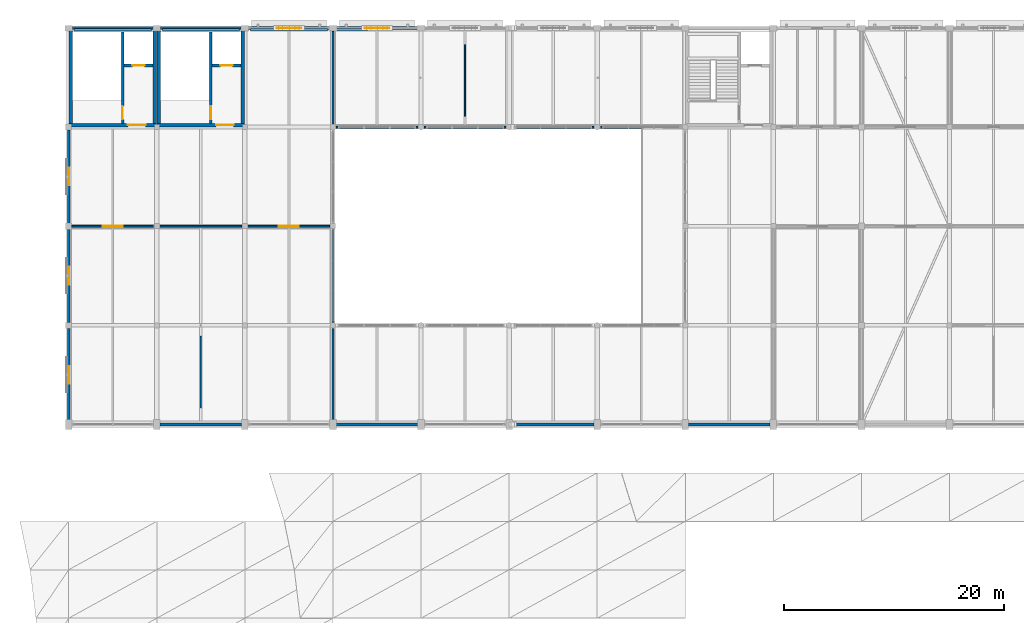
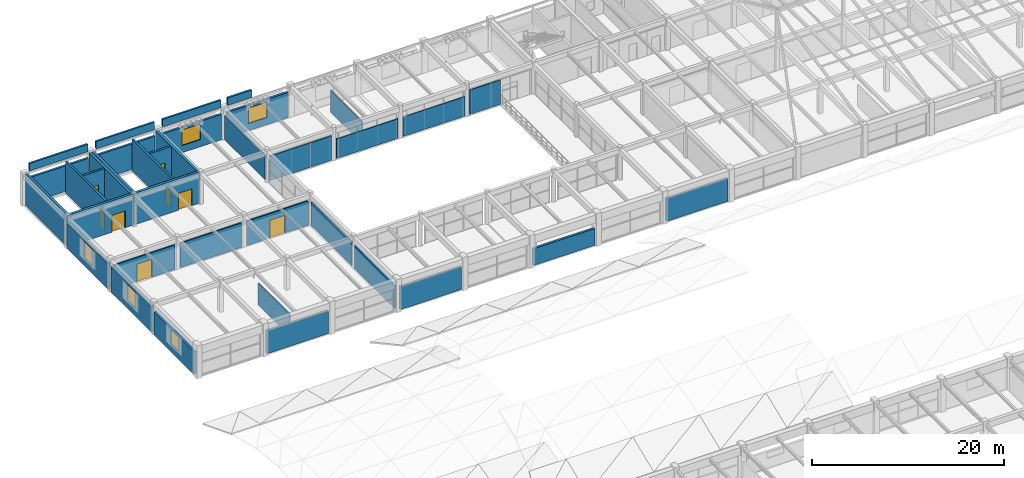
# One storey, part 99 of 126: 37 walls, 8 doors, 5 windows, 13 openings.
"""IFC4 building model written with IfcOpenShell, lengths in metres."""

from ifc_helpers import new_model, si_unit, direction, frame, frame_2d, origin, place, context, subcontext, project, spatial, rectangle, extrude, material, layer, layer_set, type_object, element, fill, save


model = new_model("IFC4")

# Units and contexts
model_context = context("Model", 3, precision=1e-05, world=origin(), true_north=direction((0.0, 1.0)))
body_context = subcontext(model_context, "Body", "Model", "MODEL_VIEW")
ifc_project = project(units=[si_unit("LENGTHUNIT", "METRE"), si_unit("AREAUNIT", "SQUARE_METRE"), si_unit("VOLUMEUNIT", "CUBIC_METRE"), si_unit("PLANEANGLEUNIT", "RADIAN"), si_unit("MASSUNIT", "GRAM", prefix="KILO")], contexts=[model_context])

# Site, building, storey
site_placement = place(None, origin())
site = spatial("IfcSite", under=ifc_project, at=site_placement, CompositionType="ELEMENT")
building_placement = place(site_placement, origin())
building = spatial("IfcBuilding", under=site, at=building_placement, Name="Varnabhumi Central Station", CompositionType="ELEMENT")
storey_placement = place(building_placement, frame((0.0, 0.0, 16.199951171875)))
storey = spatial("IfcBuildingStorey", under=building, at=storey_placement, Name="L03", CompositionType="ELEMENT", Elevation=16.199951171875)

# Walls
ifc_material_1 = material(Name="Concrete M40", Category="concrete")
ifc_layer_1 = layer(ifc_material_1, 0.300048828125, Name="Concrete M40", Category="concrete")
ifc_layer_set_1 = layer_set([ifc_layer_1], Name="Concrete M40")
wall_type_1 = type_object("IfcWallType", Name="WAL-CORE-RC-300", PredefinedType="SHEAR", material=ifc_layer_set_1)
for number, where, z_axis, x_axis, name in (
    (1, (24.179931640625, 107.179931640625, 0.0), (0.0, 0.0, 1.0), (0.0, 1.0, 0.0), "NC1 L03 West Shear Wall"),
    (2, (31.820068359375, 107.179931640625, 0.0), (0.0, 0.0, 1.0), (0.0, 1.0, 0.0), "NC1 L03 East Shear Wall"),
):
    element("IfcWall", number, at=place(storey_placement, frame(where, z_axis=z_axis, x_axis=x_axis)), inside=storey, type_object=wall_type_1, Name=name, PredefinedType="SHEAR", context=body_context, shape_type="SweptSolid", body=[
        extrude(rectangle(XDim=8.64013671875, YDim=0.300048828125, at=frame_2d((4.320068359375, 0.0))), origin(), (0.0, 0.0, 1.0), 3.97998046875),
    ])

# Wall, opening, door
wall_1_placement = place(storey_placement, frame((24.030029296875, 107.179931640625, 0.0), z_axis=(0.0, 0.0, 1.0), x_axis=(1.0, 0.0, 0.0)))
wall_1 = element("IfcWall", 3, at=wall_1_placement, inside=storey, type_object=wall_type_1, Name="NC1 L03 Corridor Shear Wall", PredefinedType="SHEAR", context=body_context, shape_type="SweptSolid", body=[
    extrude(rectangle(XDim=7.93994140625, YDim=0.300048828125, at=frame_2d((3.969970703125, 0.0))), origin(), (0.0, 0.0, 1.0), 3.97998046875),
])
opening_1_placement = place(wall_1_placement, frame((5.35009765625, 0.0, 0.0)))
opening_1 = element("IfcOpeningElement", 4, at=opening_1_placement, cuts=wall_1, Name="Opening FD-60D", PredefinedType="OPENING", context=body_context, shape_type="SweptSolid", body=[
    extrude(rectangle(XDim=1.60009765625, YDim=2.14990234375, at=frame_2d((0.800048828125, 1.074951171875))), frame((0.0, 0.159912109375, 0.0), z_axis=(0.0, -1.0, 0.0), x_axis=(1.0, 0.0, 0.0)), (0.0, 0.0, 1.0), 0.320068359375),
])
ifc_material_2 = material(Name="Intumescent-treated hardwood timber", Category="wood")
door_type_1 = type_object("IfcDoorType", Name="DR-FIRE-60-1600", OperationType="NOTDEFINED", PredefinedType="DOOR", material=ifc_material_2)
door_1_placement = place(opening_1_placement, frame((1.60009765625, 0.0, 0.0), z_axis=(0.0, 0.0, 1.0), x_axis=(-1.0, 0.0, 0.0)))
door_1 = element("IfcDoor", 5, at=door_1_placement, inside=storey, type_object=door_type_1, Name="NC1 L03 Lobby Fire Door", OperationType="DOUBLE_DOOR_SINGLE_SWING", OverallHeight=2.14990234375, OverallWidth=1.60009765625, PredefinedType="DOOR", context=body_context, shape_type="SweptSolid", body=[
    extrude(rectangle(XDim=1.60009765625, YDim=2.14990234375, at=frame_2d((0.800048828125, 1.074951171875))), frame((0.0, 0.02490234375, 0.0), z_axis=(0.0, -1.0, 0.0), x_axis=(1.0, 0.0, 0.0)), (0.0, 0.0, 1.0), 0.050048828125),
])
fill(opening_1, door_1)

# Walls
for number, where, z_axis, x_axis, name in (
    (6, (32.179931640625, 107.179931640625, 0.0), (0.0, 0.0, 1.0), (0.0, 1.0, 0.0), "NC4 L03 West Shear Wall"),
    (7, (39.820068359375, 107.179931640625, 0.0), (0.0, 0.0, 1.0), (0.0, 1.0, 0.0), "NC4 L03 East Shear Wall"),
):
    element("IfcWall", number, at=place(storey_placement, frame(where, z_axis=z_axis, x_axis=x_axis)), inside=storey, type_object=wall_type_1, Name=name, PredefinedType="SHEAR", context=body_context, shape_type="SweptSolid", body=[
        extrude(rectangle(XDim=8.64013671875, YDim=0.300048828125, at=frame_2d((4.320068359375, 0.0))), origin(), (0.0, 0.0, 1.0), 3.97998046875),
    ])

# Wall, opening, door
wall_2_placement = place(storey_placement, frame((32.030029296875, 107.179931640625, 0.0), z_axis=(0.0, 0.0, 1.0), x_axis=(1.0, 0.0, 0.0)))
wall_2 = element("IfcWall", 8, at=wall_2_placement, inside=storey, type_object=wall_type_1, Name="NC4 L03 Corridor Shear Wall", PredefinedType="SHEAR", context=body_context, shape_type="SweptSolid", body=[
    extrude(rectangle(XDim=7.93994140625, YDim=0.300048828125, at=frame_2d((3.969970703125, 0.0))), origin(), (0.0, 0.0, 1.0), 3.97998046875),
])
opening_2_placement = place(wall_2_placement, frame((5.35009765625, 0.0, 0.0)))
opening_2 = element("IfcOpeningElement", 9, at=opening_2_placement, cuts=wall_2, Name="Opening FD-60D", PredefinedType="OPENING", context=body_context, shape_type="SweptSolid", body=[
    extrude(rectangle(XDim=1.60009765625, YDim=2.14990234375, at=frame_2d((0.800048828125, 1.074951171875))), frame((0.0, 0.159912109375, 0.0), z_axis=(0.0, -1.0, 0.0), x_axis=(1.0, 0.0, 0.0)), (0.0, 0.0, 1.0), 0.320068359375),
])
door_2_placement = place(opening_2_placement, frame((1.60009765625, 0.0, 0.0), z_axis=(0.0, 0.0, 1.0), x_axis=(-1.0, 0.0, 0.0)))
door_2 = element("IfcDoor", 10, at=door_2_placement, inside=storey, type_object=door_type_1, Name="NC4 L03 Lobby Fire Door", OperationType="DOUBLE_DOOR_SINGLE_SWING", OverallHeight=2.14990234375, OverallWidth=1.60009765625, PredefinedType="DOOR", context=body_context, shape_type="SweptSolid", body=[
    extrude(rectangle(XDim=1.60009765625, YDim=2.14990234375, at=frame_2d((0.800048828125, 1.074951171875))), frame((0.0, 0.02490234375, 0.0), z_axis=(0.0, -1.0, 0.0), x_axis=(1.0, 0.0, 0.0)), (0.0, 0.0, 1.0), 0.050048828125),
])
fill(opening_2, door_2)

# Walls
ifc_material_3 = material(Name="Autoclaved aerated blockwork masonry", Category="masonry")
ifc_layer_2 = layer(ifc_material_3, 0.260009765625, Name="Autoclaved aerated blockwork masonry", Category="masonry")
ifc_layer_set_2 = layer_set([ifc_layer_2], Name="Autoclaved aerated blockwork masonry")
wall_type_2 = type_object("IfcWallType", Name="WAL-EXT-STUCCO-260", PredefinedType="SOLIDWALL", material=ifc_layer_set_2)
for number, where, z_axis, x_axis, name in (
    (11, (24.344970703125, 116.0, 0.0), (0.0, 0.0, 1.0), (1.0, 0.0, 0.0), "North Boulevard Wall L03-1"),
    (12, (32.344970703125, 116.0, 0.0), (0.0, 0.0, 1.0), (1.0, 0.0, 0.0), "North Boulevard Wall L03-2"),
):
    element("IfcWall", number, at=place(storey_placement, frame(where, z_axis=z_axis, x_axis=x_axis)), inside=storey, type_object=wall_type_2, Name=name, PredefinedType="SOLIDWALL", context=body_context, shape_type="SweptSolid", body=[
        extrude(rectangle(XDim=7.31005859375, YDim=0.260009765625, at=frame_2d((3.655029296875, 0.0))), origin(), (0.0, 0.0, 1.0), 3.239990234375),
    ])
wall_3_placement = place(storey_placement, frame((32.294921875, 80.0, 0.0), z_axis=(0.0, 0.0, 1.0), x_axis=(1.0, 0.0, 0.0)))
element("IfcWall", 13, at=wall_3_placement, inside=storey, type_object=wall_type_2, Name="North Spine Wall L03-2", PredefinedType="SOLIDWALL", context=body_context, shape_type="SweptSolid", body=[
    extrude(rectangle(XDim=7.41015625, YDim=0.260009765625, at=frame_2d((3.705078125, 0.0))), origin(), (0.0, 0.0, 1.0), 2.91015625),
])

# Wall, opening, window
wall_4_placement = place(storey_placement, frame((40.344970703125, 116.0, 0.0), z_axis=(0.0, 0.0, 1.0), x_axis=(1.0, 0.0, 0.0)))
wall_4 = element("IfcWall", 14, at=wall_4_placement, inside=storey, type_object=wall_type_2, Name="North Boulevard Wall L03-3", PredefinedType="SOLIDWALL", context=body_context, shape_type="SweptSolid", body=[
    extrude(rectangle(XDim=7.31005859375, YDim=0.260009765625, at=frame_2d((3.655029296875, 0.0))), origin(), (0.0, 0.0, 1.0), 3.2099609375),
])
opening_3_placement = place(wall_4_placement, frame((2.554931640625, 0.0, 0.89990234375)))
opening_3 = element("IfcOpeningElement", 15, at=opening_3_placement, cuts=wall_4, Name="Opening W-03", PredefinedType="OPENING", context=body_context, shape_type="SweptSolid", body=[
    extrude(rectangle(XDim=2.199951171875, YDim=1.989990234375, at=frame_2d((1.10009765625, 0.9951171875))), frame((0.0, 0.139892578125, 0.0), z_axis=(0.0, -1.0, 0.0), x_axis=(1.0, 0.0, 0.0)), (0.0, 0.0, 1.0), 0.280029296875),
])
ifc_material_4 = material(Name="Laminated low-E double glazing", Category="glass")
window_type_1 = type_object("IfcWindowType", Name="WIN-PIER-2200x2200", PartitioningType="DOUBLE_PANEL_VERTICAL", PredefinedType="WINDOW", material=ifc_material_4)
window_1_placement = place(opening_3_placement, origin())
window_1 = element("IfcWindow", 16, at=window_1_placement, inside=storey, type_object=window_type_1, Name="North Facade Window L03-3", OverallHeight=1.989990234375, OverallWidth=2.199951171875, PartitioningType="SINGLE_PANEL", PredefinedType="WINDOW", context=body_context, shape_type="SweptSolid", body=[
    extrude(rectangle(XDim=2.199951171875, YDim=1.989990234375, at=frame_2d((1.10009765625, 0.9951171875))), frame((0.0, 0.030029296875, 0.0), z_axis=(0.0, -1.0, 0.0), x_axis=(1.0, 0.0, 0.0)), (0.0, 0.0, 1.0), 0.06005859375),
])
fill(opening_3, window_1)

wall_5_placement = place(storey_placement, frame((48.344970703125, 116.0, 0.0), z_axis=(0.0, 0.0, 1.0), x_axis=(1.0, 0.0, 0.0)))
wall_5 = element("IfcWall", 17, at=wall_5_placement, inside=storey, type_object=wall_type_2, Name="North Boulevard Wall L03-4", PredefinedType="SOLIDWALL", context=body_context, shape_type="SweptSolid", body=[
    extrude(rectangle(XDim=7.31005859375, YDim=0.260009765625, at=frame_2d((3.655029296875, 0.0))), origin(), (0.0, 0.0, 1.0), 3.2099609375),
])
opening_4_placement = place(wall_5_placement, frame((2.554931640625, 0.0, 0.89990234375)))
opening_4 = element("IfcOpeningElement", 18, at=opening_4_placement, cuts=wall_5, Name="Opening W-03", PredefinedType="OPENING", context=body_context, shape_type="SweptSolid", body=[
    extrude(rectangle(XDim=2.199951171875, YDim=1.989990234375, at=frame_2d((1.10009765625, 0.9951171875))), frame((0.0, 0.139892578125, 0.0), z_axis=(0.0, -1.0, 0.0), x_axis=(1.0, 0.0, 0.0)), (0.0, 0.0, 1.0), 0.280029296875),
])
window_2_placement = place(opening_4_placement, origin())
window_2 = element("IfcWindow", 19, at=window_2_placement, inside=storey, type_object=window_type_1, Name="North Facade Window L03-4", OverallHeight=1.989990234375, OverallWidth=2.199951171875, PartitioningType="SINGLE_PANEL", PredefinedType="WINDOW", context=body_context, shape_type="SweptSolid", body=[
    extrude(rectangle(XDim=2.199951171875, YDim=1.989990234375, at=frame_2d((1.10009765625, 0.9951171875))), frame((0.0, 0.030029296875, 0.0), z_axis=(0.0, -1.0, 0.0), x_axis=(1.0, 0.0, 0.0)), (0.0, 0.0, 1.0), 0.06005859375),
])
fill(opening_4, window_2)

# Walls
wall_6_placement = place(storey_placement, frame((48.294921875, 80.0, 0.0), z_axis=(0.0, 0.0, 1.0), x_axis=(1.0, 0.0, 0.0)))
element("IfcWall", 20, at=wall_6_placement, inside=storey, type_object=wall_type_2, Name="North Spine Wall L03-4", PredefinedType="SOLIDWALL", context=body_context, shape_type="SweptSolid", body=[
    extrude(rectangle(XDim=7.41015625, YDim=0.260009765625, at=frame_2d((3.705078125, 0.0))), origin(), (0.0, 0.0, 1.0), 2.91015625),
])
wall_7_placement = place(storey_placement, frame((64.294921875, 80.0, 0.0), z_axis=(0.0, 0.0, 1.0), x_axis=(1.0, 0.0, 0.0)))
element("IfcWall", 21, at=wall_7_placement, inside=storey, type_object=wall_type_2, Name="North Spine Wall L03-6", PredefinedType="SOLIDWALL", context=body_context, shape_type="SweptSolid", body=[
    extrude(rectangle(XDim=7.41015625, YDim=0.260009765625, at=frame_2d((3.705078125, 0.0))), origin(), (0.0, 0.0, 1.0), 2.1201171875),
])
wall_8_placement = place(storey_placement, frame((80.294921875, 80.0, 0.0), z_axis=(0.0, 0.0, 1.0), x_axis=(1.0, 0.0, 0.0)))
element("IfcWall", 22, at=wall_8_placement, inside=storey, type_object=wall_type_2, Name="North Spine Wall L03-8", PredefinedType="SOLIDWALL", context=body_context, shape_type="SweptSolid", body=[
    extrude(rectangle(XDim=7.41015625, YDim=0.260009765625, at=frame_2d((3.705078125, 0.0))), origin(), (0.0, 0.0, 1.0), 2.91015625),
])

# Wall, opening, window
wall_9_placement = place(storey_placement, frame((24.0, 80.39990234375, 0.0), z_axis=(0.0, 0.0, 1.0), x_axis=(0.0, 1.0, 0.0)))
wall_9 = element("IfcWall", 23, at=wall_9_placement, inside=storey, type_object=wall_type_2, Name="North Wing E End Wall L03-1", PredefinedType="SOLIDWALL", context=body_context, shape_type="SweptSolid", body=[
    extrude(rectangle(XDim=8.330078125, YDim=0.260009765625, at=frame_2d((4.1650390625, 0.0))), origin(), (0.0, 0.0, 1.0), 2.91015625),
])
opening_5_placement = place(wall_9_placement, frame((3.300048828125, 0.0, 0.949951171875)))
opening_5 = element("IfcOpeningElement", 24, at=opening_5_placement, cuts=wall_9, Name="Opening W-04", PredefinedType="OPENING", context=body_context, shape_type="SweptSolid", body=[
    extrude(rectangle(XDim=1.60009765625, YDim=1.820068359375, at=frame_2d((0.800048828125, 0.91015625))), frame((0.0, 0.139892578125, 0.0), z_axis=(0.0, -1.0, 0.0), x_axis=(1.0, 0.0, 0.0)), (0.0, 0.0, 1.0), 0.280029296875),
])
window_type_2 = type_object("IfcWindowType", Name="WIN-PIER-1600x2200", PartitioningType="SINGLE_PANEL", PredefinedType="WINDOW", material=ifc_material_4)
window_3_placement = place(opening_5_placement, origin())
window_3 = element("IfcWindow", 25, at=window_3_placement, inside=storey, type_object=window_type_2, Name="North E Window L03-1", OverallHeight=1.820068359375, OverallWidth=1.60009765625, PartitioningType="SINGLE_PANEL", PredefinedType="WINDOW", context=body_context, shape_type="SweptSolid", body=[
    extrude(rectangle(XDim=1.60009765625, YDim=1.820068359375, at=frame_2d((0.800048828125, 0.91015625))), frame((0.0, 0.030029296875, 0.0), z_axis=(0.0, -1.0, 0.0), x_axis=(1.0, 0.0, 0.0)), (0.0, 0.0, 1.0), 0.06005859375),
])
fill(opening_5, window_3)

wall_10_placement = place(storey_placement, frame((24.0, 89.27001953125, 0.0), z_axis=(0.0, 0.0, 1.0), x_axis=(0.0, 1.0, 0.0)))
wall_10 = element("IfcWall", 26, at=wall_10_placement, inside=storey, type_object=wall_type_2, Name="North Wing E End Wall L03-2", PredefinedType="SOLIDWALL", context=body_context, shape_type="SweptSolid", body=[
    extrude(rectangle(XDim=8.4599609375, YDim=0.260009765625, at=frame_2d((4.22998046875, 0.0))), origin(), (0.0, 0.0, 1.0), 3.239990234375),
])
opening_6_placement = place(wall_10_placement, frame((3.429931640625, 0.0, 0.949951171875)))
opening_6 = element("IfcOpeningElement", 27, at=opening_6_placement, cuts=wall_10, Name="Opening W-04", PredefinedType="OPENING", context=body_context, shape_type="SweptSolid", body=[
    extrude(rectangle(XDim=1.60009765625, YDim=2.10009765625, at=frame_2d((0.800048828125, 1.050048828125))), frame((0.0, 0.139892578125, 0.0), z_axis=(0.0, -1.0, 0.0), x_axis=(1.0, 0.0, 0.0)), (0.0, 0.0, 1.0), 0.280029296875),
])
window_4_placement = place(opening_6_placement, origin())
window_4 = element("IfcWindow", 28, at=window_4_placement, inside=storey, type_object=window_type_2, Name="North E Window L03-2", OverallHeight=2.10009765625, OverallWidth=1.60009765625, PartitioningType="SINGLE_PANEL", PredefinedType="WINDOW", context=body_context, shape_type="SweptSolid", body=[
    extrude(rectangle(XDim=1.60009765625, YDim=2.10009765625, at=frame_2d((0.800048828125, 1.050048828125))), frame((0.0, 0.030029296875, 0.0), z_axis=(0.0, -1.0, 0.0), x_axis=(1.0, 0.0, 0.0)), (0.0, 0.0, 1.0), 0.06005859375),
])
fill(opening_6, window_4)

wall_11_placement = place(storey_placement, frame((24.0, 98.27001953125, 0.0), z_axis=(0.0, 0.0, 1.0), x_axis=(0.0, 1.0, 0.0)))
wall_11 = element("IfcWall", 29, at=wall_11_placement, inside=storey, type_object=wall_type_2, Name="North Wing E End Wall L03-3", PredefinedType="SOLIDWALL", context=body_context, shape_type="SweptSolid", body=[
    extrude(rectangle(XDim=8.4599609375, YDim=0.260009765625, at=frame_2d((4.22998046875, 0.0))), origin(), (0.0, 0.0, 1.0), 3.239990234375),
])
opening_7_placement = place(wall_11_placement, frame((3.429931640625, 0.0, 0.949951171875)))
opening_7 = element("IfcOpeningElement", 30, at=opening_7_placement, cuts=wall_11, Name="Opening W-04", PredefinedType="OPENING", context=body_context, shape_type="SweptSolid", body=[
    extrude(rectangle(XDim=1.60009765625, YDim=2.10009765625, at=frame_2d((0.800048828125, 1.050048828125))), frame((0.0, 0.139892578125, 0.0), z_axis=(0.0, -1.0, 0.0), x_axis=(1.0, 0.0, 0.0)), (0.0, 0.0, 1.0), 0.280029296875),
])
window_5_placement = place(opening_7_placement, origin())
window_5 = element("IfcWindow", 31, at=window_5_placement, inside=storey, type_object=window_type_2, Name="North E Window L03-3", OverallHeight=2.10009765625, OverallWidth=1.60009765625, PartitioningType="SINGLE_PANEL", PredefinedType="WINDOW", context=body_context, shape_type="SweptSolid", body=[
    extrude(rectangle(XDim=1.60009765625, YDim=2.10009765625, at=frame_2d((0.800048828125, 1.050048828125))), frame((0.0, 0.030029296875, 0.0), z_axis=(0.0, -1.0, 0.0), x_axis=(1.0, 0.0, 0.0)), (0.0, 0.0, 1.0), 0.06005859375),
])
fill(opening_7, window_5)

# Walls
ifc_material_5 = material(Name="Precast concrete M45", Category="concrete")
ifc_layer_3 = layer(ifc_material_5, 0.219970703125, Name="Precast concrete M45", Category="concrete")
ifc_layer_set_3 = layer_set([ifc_layer_3], Name="Precast concrete M45")
wall_type_3 = type_object("IfcWallType", Name="WAL-PARAPET-220", PredefinedType="PARAPET", material=ifc_layer_set_3)
for number, where, z_axis, x_axis, name in (
    (32, (24.5, 115.85009765625, 4.199951171875), (0.0, 0.0, 1.0), (1.0, 0.0, 0.0), "Roof Parapet Upstand 1"),
    (33, (32.5, 115.85009765625, 4.199951171875), (0.0, 0.0, 1.0), (1.0, 0.0, 0.0), "Roof Parapet Upstand 2"),
    (34, (40.5, 115.85009765625, 4.199951171875), (0.0, 0.0, 1.0), (1.0, 0.0, 0.0), "Roof Parapet Upstand 3"),
):
    element("IfcWall", number, at=place(storey_placement, frame(where, z_axis=z_axis, x_axis=x_axis)), inside=storey, type_object=wall_type_3, Name=name, PredefinedType="PARAPET", context=body_context, shape_type="SweptSolid", body=[
        extrude(rectangle(XDim=7.0, YDim=0.219970703125, at=frame_2d((3.5, 0.0))), origin(), (0.0, 0.0, 1.0), 0.9501953125),
    ])
wall_12_placement = place(storey_placement, frame((48.300048828125, 115.85009765625, 4.199951171875), z_axis=(0.0, 0.0, 1.0), x_axis=(1.0, 0.0, 0.0)))
element("IfcWall", 35, at=wall_12_placement, inside=storey, type_object=wall_type_3, Name="Roof Parapet Upstand 4", PredefinedType="PARAPET", context=body_context, shape_type="SweptSolid", body=[
    extrude(rectangle(XDim=2.89990234375, YDim=0.219970703125, at=frame_2d((1.449951171875, 0.0))), origin(), (0.0, 0.0, 1.0), 0.9501953125),
])

# Wall, opening, door
ifc_layer_4 = layer(ifc_material_3, 0.159912109375, Name="Autoclaved aerated blockwork masonry", Category="masonry")
ifc_layer_set_4 = layer_set([ifc_layer_4], Name="Autoclaved aerated blockwork masonry")
wall_type_4 = type_object("IfcWallType", Name="WAL-PART-AAC-160", PredefinedType="PARTITIONING", material=ifc_layer_set_4)
wall_13_placement = place(storey_placement, frame((24.300048828125, 98.0, 0.0), z_axis=(0.0, 0.0, 1.0), x_axis=(1.0, 0.0, 0.0)))
wall_13 = element("IfcWall", 36, at=wall_13_placement, inside=storey, type_object=wall_type_4, Name="Bengali and Continental Dining Gallery Corridor Partition 1", PredefinedType="PARTITIONING", context=body_context, shape_type="SweptSolid", body=[
    extrude(rectangle(XDim=7.39990234375, YDim=0.159912109375, at=frame_2d((3.699951171875, 0.0))), origin(), (0.0, 0.0, 1.0), 3.10009765625),
])
opening_8_placement = place(wall_13_placement, frame((2.800048828125, 0.0, 0.0)))
opening_8 = element("IfcOpeningElement", 37, at=opening_8_placement, cuts=wall_13, Name="Opening D-02", PredefinedType="OPENING", context=body_context, shape_type="SweptSolid", body=[
    extrude(rectangle(XDim=1.800048828125, YDim=2.25, at=frame_2d((0.89990234375, 1.125))), frame((0.0, 0.08984375, 0.0), z_axis=(0.0, -1.0, 0.0), x_axis=(1.0, 0.0, 0.0)), (0.0, 0.0, 1.0), 0.179931640625),
])
ifc_material_6 = material(Name="Anodised aluminium 6063-T6", Category="aluminium")
door_type_2 = type_object("IfcDoorType", Name="DR-LOUNGE-1800", OperationType="NOTDEFINED", PredefinedType="DOOR", material=ifc_material_6)
door_3_placement = place(opening_8_placement, origin())
door_3 = element("IfcDoor", 38, at=door_3_placement, inside=storey, type_object=door_type_2, Name="Bengali and Continental Dining Gallery Door 1", OperationType="DOUBLE_DOOR_SINGLE_SWING", OverallHeight=2.25, OverallWidth=1.800048828125, PredefinedType="DOOR", context=body_context, shape_type="SweptSolid", body=[
    extrude(rectangle(XDim=1.800048828125, YDim=2.25, at=frame_2d((0.89990234375, 1.125))), frame((0.0, 0.02490234375, 0.0), z_axis=(0.0, -1.0, 0.0), x_axis=(1.0, 0.0, 0.0)), (0.0, 0.0, 1.0), 0.050048828125),
])
fill(opening_8, door_3)

# Wall
wall_14_placement = place(storey_placement, frame((32.300048828125, 98.0, 0.0), z_axis=(0.0, 0.0, 1.0), x_axis=(1.0, 0.0, 0.0)))
element("IfcWall", 39, at=wall_14_placement, inside=storey, type_object=wall_type_4, Name="Bengali and Continental Dining Gallery Corridor Partition 2", PredefinedType="PARTITIONING", context=body_context, shape_type="SweptSolid", body=[
    extrude(rectangle(XDim=7.39990234375, YDim=0.159912109375, at=frame_2d((3.699951171875, 0.0))), origin(), (0.0, 0.0, 1.0), 3.10009765625),
])

# Wall, opening, door
wall_15_placement = place(storey_placement, frame((40.300048828125, 98.0, 0.0), z_axis=(0.0, 0.0, 1.0), x_axis=(1.0, 0.0, 0.0)))
wall_15 = element("IfcWall", 40, at=wall_15_placement, inside=storey, type_object=wall_type_4, Name="Bengali and Continental Dining Gallery Corridor Partition 3", PredefinedType="PARTITIONING", context=body_context, shape_type="SweptSolid", body=[
    extrude(rectangle(XDim=7.39990234375, YDim=0.159912109375, at=frame_2d((3.699951171875, 0.0))), origin(), (0.0, 0.0, 1.0), 3.10009765625),
])
opening_9_placement = place(wall_15_placement, frame((2.800048828125, 0.0, 0.0)))
opening_9 = element("IfcOpeningElement", 41, at=opening_9_placement, cuts=wall_15, Name="Opening D-02", PredefinedType="OPENING", context=body_context, shape_type="SweptSolid", body=[
    extrude(rectangle(XDim=1.800048828125, YDim=2.25, at=frame_2d((0.89990234375, 1.125))), frame((0.0, 0.08984375, 0.0), z_axis=(0.0, -1.0, 0.0), x_axis=(1.0, 0.0, 0.0)), (0.0, 0.0, 1.0), 0.179931640625),
])
door_4_placement = place(opening_9_placement, origin())
door_4 = element("IfcDoor", 42, at=door_4_placement, inside=storey, type_object=door_type_2, Name="Bengali and Continental Dining Gallery Door 3", OperationType="DOUBLE_DOOR_SINGLE_SWING", OverallHeight=2.25, OverallWidth=1.800048828125, PredefinedType="DOOR", context=body_context, shape_type="SweptSolid", body=[
    extrude(rectangle(XDim=1.800048828125, YDim=2.25, at=frame_2d((0.89990234375, 1.125))), frame((0.0, 0.02490234375, 0.0), z_axis=(0.0, -1.0, 0.0), x_axis=(1.0, 0.0, 0.0)), (0.0, 0.0, 1.0), 0.050048828125),
])
fill(opening_9, door_4)

# Walls
wall_16_placement = place(storey_placement, frame((48.0, 80.300048828125, 0.0), z_axis=(0.0, 0.0, 1.0), x_axis=(0.0, 1.0, 0.0)))
element("IfcWall", 43, at=wall_16_placement, inside=storey, type_object=wall_type_4, Name="Bengali and Continental Dining Gallery W Partition 1", PredefinedType="PARTITIONING", context=body_context, shape_type="SweptSolid", body=[
    extrude(rectangle(XDim=8.39990234375, YDim=0.159912109375, at=frame_2d((4.199951171875, 0.0))), origin(), (0.0, 0.0, 1.0), 2.91015625),
])
wall_17_placement = place(storey_placement, frame((48.0, 89.300048828125, 0.0), z_axis=(0.0, 0.0, 1.0), x_axis=(0.0, 1.0, 0.0)))
element("IfcWall", 44, at=wall_17_placement, inside=storey, type_object=wall_type_4, Name="Bengali and Continental Dining Gallery W Partition 2", PredefinedType="PARTITIONING", context=body_context, shape_type="SweptSolid", body=[
    extrude(rectangle(XDim=8.39990234375, YDim=0.159912109375, at=frame_2d((4.199951171875, 0.0))), origin(), (0.0, 0.0, 1.0), 3.10009765625),
])
wall_18_placement = place(storey_placement, frame((48.300048828125, 107.0, 0.0), z_axis=(0.0, 0.0, 1.0), x_axis=(1.0, 0.0, 0.0)))
element("IfcWall", 45, at=wall_18_placement, inside=storey, type_object=wall_type_4, Name="Civic Railway Heritage and Community Hall Corridor Partition 1", PredefinedType="PARTITIONING", context=body_context, shape_type="SweptSolid", body=[
    extrude(rectangle(XDim=7.39990234375, YDim=0.159912109375, at=frame_2d((3.699951171875, 0.0))), origin(), (0.0, 0.0, 1.0), 3.10009765625),
])
for number, where, z_axis, x_axis, name in (
    (46, (56.300048828125, 107.0, 0.0), (0.0, 0.0, 1.0), (1.0, 0.0, 0.0), "Civic Railway Heritage and Community Hall Corridor Partition 2"),
    (47, (64.300048828125, 107.0, 0.0), (0.0, 0.0, 1.0), (1.0, 0.0, 0.0), "Civic Railway Heritage and Community Hall Corridor Partition 3"),
):
    element("IfcWall", number, at=place(storey_placement, frame(where, z_axis=z_axis, x_axis=x_axis)), inside=storey, type_object=wall_type_4, Name=name, PredefinedType="PARTITIONING", context=body_context, shape_type="SweptSolid", body=[
        extrude(rectangle(XDim=7.39990234375, YDim=0.159912109375, at=frame_2d((3.699951171875, 0.0))), origin(), (0.0, 0.0, 1.0), 2.47998046875),
    ])
wall_19_placement = place(storey_placement, frame((72.300048828125, 107.0, 0.0), z_axis=(0.0, 0.0, 1.0), x_axis=(1.0, 0.0, 0.0)))
element("IfcWall", 48, at=wall_19_placement, inside=storey, type_object=wall_type_4, Name="Civic Railway Heritage and Community Hall Corridor Partition 4", PredefinedType="PARTITIONING", context=body_context, shape_type="SweptSolid", body=[
    extrude(rectangle(XDim=3.699951171875, YDim=0.159912109375, at=frame_2d((1.85009765625, 0.0))), origin(), (0.0, 0.0, 1.0), 3.10009765625),
])
wall_20_placement = place(storey_placement, frame((48.0, 107.300048828125, 0.0), z_axis=(0.0, 0.0, 1.0), x_axis=(0.0, 1.0, 0.0)))
element("IfcWall", 49, at=wall_20_placement, inside=storey, type_object=wall_type_4, Name="Civic Railway Heritage and Community Hall E Partition 1", PredefinedType="PARTITIONING", context=body_context, shape_type="SweptSolid", body=[
    extrude(rectangle(XDim=8.39990234375, YDim=0.159912109375, at=frame_2d((4.199951171875, 0.0))), origin(), (0.0, 0.0, 1.0), 3.10009765625),
])
ifc_layer_5 = layer(ifc_material_3, 0.1201171875, Name="Autoclaved aerated blockwork masonry", Category="masonry")
ifc_layer_set_5 = layer_set([ifc_layer_5], Name="Autoclaved aerated blockwork masonry")
wall_type_5 = type_object("IfcWallType", Name="WAL-PART-DRY-120", PredefinedType="MOVABLE", material=ifc_layer_set_5)
for number, where, z_axis, x_axis, name in (
    (50, (36.0, 81.5, 0.0), (0.0, 0.0, 1.0), (0.0, 1.0, 0.0), "Acoustic Operable Partition MP-3"),
    (51, (60.0, 108.0, 0.0), (0.0, 0.0, 1.0), (0.0, 1.0, 0.0), "Acoustic Operable Partition MP-4"),
):
    element("IfcWall", number, at=place(storey_placement, frame(where, z_axis=z_axis, x_axis=x_axis)), inside=storey, type_object=wall_type_5, Name=name, PredefinedType="MOVABLE", context=body_context, shape_type="SweptSolid", body=[
        extrude(rectangle(XDim=6.5, YDim=0.1201171875, at=frame_2d((3.25, 0.0))), origin(), (0.0, 0.0, 1.0), 2.800048828125),
    ])

# Wall, opening, door
ifc_layer_6 = layer(ifc_material_1, 0.239990234375, Name="Concrete M40", Category="concrete")
ifc_layer_set_6 = layer_set([ifc_layer_6], Name="Concrete M40")
wall_type_6 = type_object("IfcWallType", Name="WAL-SHAFT-RC-240", PredefinedType="SHEAR", material=ifc_layer_set_6)
wall_21_placement = place(storey_placement, frame((28.89990234375, 107.35009765625, 0.0), z_axis=(0.0, 0.0, 1.0), x_axis=(0.0, 1.0, 0.0)))
wall_21 = element("IfcWall", 52, at=wall_21_placement, inside=storey, type_object=wall_type_6, Name="NC1 L03 Stair-Lobby Divider Wall", PredefinedType="SHEAR", context=body_context, shape_type="SweptSolid", body=[
    extrude(rectangle(XDim=8.2998046875, YDim=0.239990234375, at=frame_2d((4.14990234375, 0.0))), origin(), (0.0, 0.0, 1.0), 3.97998046875),
])
opening_10_placement = place(wall_21_placement, frame((0.35009765625, 0.0, 0.0)))
opening_10 = element("IfcOpeningElement", 53, at=opening_10_placement, cuts=wall_21, Name="Opening FD-120", PredefinedType="OPENING", context=body_context, shape_type="SweptSolid", body=[
    extrude(rectangle(XDim=1.199951171875, YDim=2.14990234375, at=frame_2d((0.60009765625, 1.074951171875))), frame((0.0, 0.1298828125, 0.0), z_axis=(0.0, -1.0, 0.0), x_axis=(1.0, 0.0, 0.0)), (0.0, 0.0, 1.0), 0.260009765625),
])
ifc_material_7 = material(Name="Stainless steel Grade 316", Category="steel")
door_type_3 = type_object("IfcDoorType", Name="DR-FIRE-120-1200", OperationType="NOTDEFINED", PredefinedType="DOOR", material=ifc_material_7)
door_5_placement = place(opening_10_placement, origin())
door_5 = element("IfcDoor", 54, at=door_5_placement, inside=storey, type_object=door_type_3, Name="ST-N1 L03 Fire Door", OperationType="SINGLE_SWING_RIGHT", OverallHeight=2.14990234375, OverallWidth=1.199951171875, PredefinedType="DOOR", context=body_context, shape_type="SweptSolid", body=[
    extrude(rectangle(XDim=1.199951171875, YDim=2.14990234375, at=frame_2d((0.60009765625, 1.074951171875))), frame((0.0, 0.02490234375, 0.0), z_axis=(0.0, -1.0, 0.0), x_axis=(1.0, 0.0, 0.0)), (0.0, 0.0, 1.0), 0.050048828125),
])
fill(opening_10, door_5)

wall_22_placement = place(storey_placement, frame((29.02001953125, 112.60009765625, 0.0), z_axis=(0.0, 0.0, 1.0), x_axis=(1.0, 0.0, 0.0)))
wall_22 = element("IfcWall", 55, at=wall_22_placement, inside=storey, type_object=wall_type_6, Name="PL-5 L03 Lift Shaft Front Wall", PredefinedType="SHEAR", context=body_context, shape_type="SweptSolid", body=[
    extrude(rectangle(XDim=2.6298828125, YDim=0.239990234375, at=frame_2d((1.31494140625, 0.0))), origin(), (0.0, 0.0, 1.0), 3.97998046875),
])
opening_11_placement = place(wall_22_placement, frame((0.764892578125, 0.0, 0.0)))
opening_11 = element("IfcOpeningElement", 56, at=opening_11_placement, cuts=wall_22, Name="Opening LD-PL-5", PredefinedType="OPENING", context=body_context, shape_type="SweptSolid", body=[
    extrude(rectangle(XDim=1.10009765625, YDim=2.14990234375, at=frame_2d((0.550048828125, 1.074951171875))), frame((0.0, 0.1298828125, 0.0), z_axis=(0.0, -1.0, 0.0), x_axis=(1.0, 0.0, 0.0)), (0.0, 0.0, 1.0), 0.260009765625),
])
door_type_4 = type_object("IfcDoorType", Name="DR-LIFT-PASS-1100", OperationType="NOTDEFINED", PredefinedType="DOOR", material=ifc_material_7)
door_6_placement = place(opening_11_placement, origin())
door_6 = element("IfcDoor", 57, at=door_6_placement, inside=storey, type_object=door_type_4, Name="Lift Landing Door PL-5 L03", OperationType="DOUBLE_DOOR_SLIDING", OverallHeight=2.14990234375, OverallWidth=1.10009765625, PredefinedType="DOOR", context=body_context, shape_type="SweptSolid", body=[
    extrude(rectangle(XDim=1.10009765625, YDim=2.14990234375, at=frame_2d((0.550048828125, 1.074951171875))), frame((0.0, 0.02490234375, 0.0), z_axis=(0.0, -1.0, 0.0), x_axis=(1.0, 0.0, 0.0)), (0.0, 0.0, 1.0), 0.050048828125),
])
fill(opening_11, door_6)

wall_23_placement = place(storey_placement, frame((36.89990234375, 107.35009765625, 0.0), z_axis=(0.0, 0.0, 1.0), x_axis=(0.0, 1.0, 0.0)))
wall_23 = element("IfcWall", 58, at=wall_23_placement, inside=storey, type_object=wall_type_6, Name="NC4 L03 Stair-Lobby Divider Wall", PredefinedType="SHEAR", context=body_context, shape_type="SweptSolid", body=[
    extrude(rectangle(XDim=8.2998046875, YDim=0.239990234375, at=frame_2d((4.14990234375, 0.0))), origin(), (0.0, 0.0, 1.0), 3.97998046875),
])
opening_12_placement = place(wall_23_placement, frame((0.35009765625, 0.0, 0.0)))
opening_12 = element("IfcOpeningElement", 59, at=opening_12_placement, cuts=wall_23, Name="Opening FD-120", PredefinedType="OPENING", context=body_context, shape_type="SweptSolid", body=[
    extrude(rectangle(XDim=1.199951171875, YDim=2.14990234375, at=frame_2d((0.60009765625, 1.074951171875))), frame((0.0, 0.1298828125, 0.0), z_axis=(0.0, -1.0, 0.0), x_axis=(1.0, 0.0, 0.0)), (0.0, 0.0, 1.0), 0.260009765625),
])
door_7_placement = place(opening_12_placement, origin())
door_7 = element("IfcDoor", 60, at=door_7_placement, inside=storey, type_object=door_type_3, Name="ST-N4 L03 Fire Door", OperationType="SINGLE_SWING_RIGHT", OverallHeight=2.14990234375, OverallWidth=1.199951171875, PredefinedType="DOOR", context=body_context, shape_type="SweptSolid", body=[
    extrude(rectangle(XDim=1.199951171875, YDim=2.14990234375, at=frame_2d((0.60009765625, 1.074951171875))), frame((0.0, 0.02490234375, 0.0), z_axis=(0.0, -1.0, 0.0), x_axis=(1.0, 0.0, 0.0)), (0.0, 0.0, 1.0), 0.050048828125),
])
fill(opening_12, door_7)

wall_24_placement = place(storey_placement, frame((37.02001953125, 112.60009765625, 0.0), z_axis=(0.0, 0.0, 1.0), x_axis=(1.0, 0.0, 0.0)))
wall_24 = element("IfcWall", 61, at=wall_24_placement, inside=storey, type_object=wall_type_6, Name="PL-9 L03 Lift Shaft Front Wall", PredefinedType="SHEAR", context=body_context, shape_type="SweptSolid", body=[
    extrude(rectangle(XDim=2.6298828125, YDim=0.239990234375, at=frame_2d((1.31494140625, 0.0))), origin(), (0.0, 0.0, 1.0), 3.97998046875),
])
opening_13_placement = place(wall_24_placement, frame((0.764892578125, 0.0, 0.0)))
opening_13 = element("IfcOpeningElement", 62, at=opening_13_placement, cuts=wall_24, Name="Opening LD-PL-9", PredefinedType="OPENING", context=body_context, shape_type="SweptSolid", body=[
    extrude(rectangle(XDim=1.10009765625, YDim=2.14990234375, at=frame_2d((0.550048828125, 1.074951171875))), frame((0.0, 0.1298828125, 0.0), z_axis=(0.0, -1.0, 0.0), x_axis=(1.0, 0.0, 0.0)), (0.0, 0.0, 1.0), 0.260009765625),
])
door_8_placement = place(opening_13_placement, origin())
door_8 = element("IfcDoor", 63, at=door_8_placement, inside=storey, type_object=door_type_4, Name="Lift Landing Door PL-9 L03", OperationType="DOUBLE_DOOR_SLIDING", OverallHeight=2.14990234375, OverallWidth=1.10009765625, PredefinedType="DOOR", context=body_context, shape_type="SweptSolid", body=[
    extrude(rectangle(XDim=1.10009765625, YDim=2.14990234375, at=frame_2d((0.550048828125, 1.074951171875))), frame((0.0, 0.02490234375, 0.0), z_axis=(0.0, -1.0, 0.0), x_axis=(1.0, 0.0, 0.0)), (0.0, 0.0, 1.0), 0.050048828125),
])
fill(opening_13, door_8)

save(model, "model.ifc")
